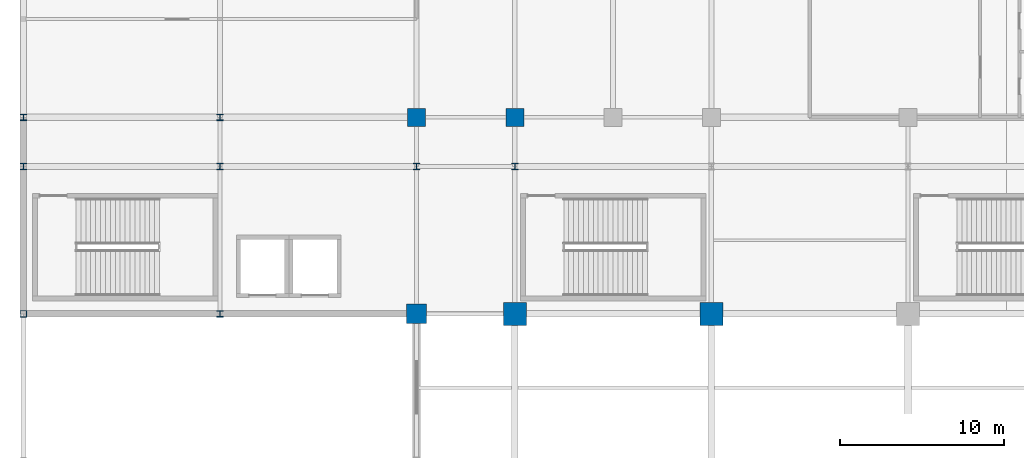
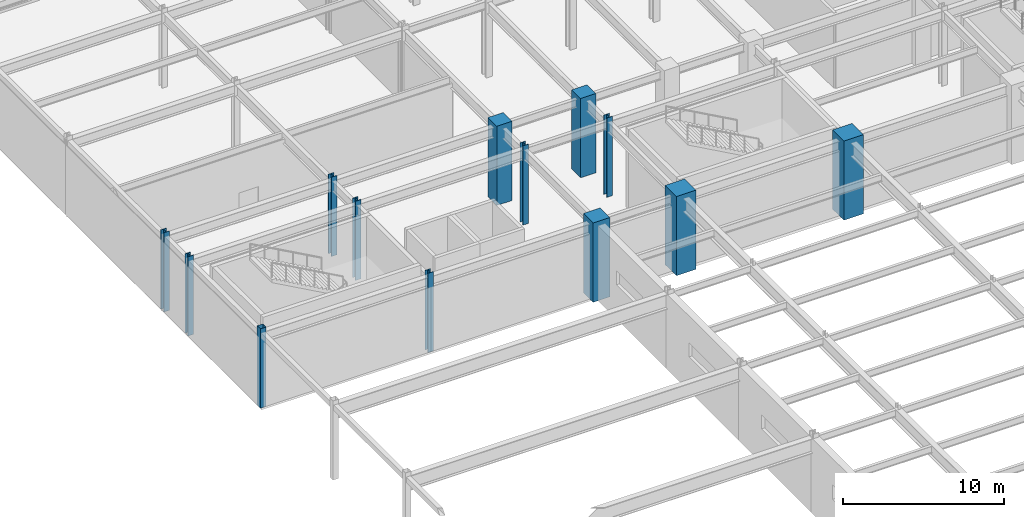
# One storey, part 6 of 105: 13 columns.
"""IFC4 building model written with IfcOpenShell, lengths in metres."""

from ifc_helpers import new_model, si_unit, direction, frame, origin, origin_2d, place, context, subcontext, project, spatial, rectangle, hollow_rectangle, i_section, extrude, material, material_profile, profile_set, type_object, element, save


model = new_model("IFC4")

# Units and contexts
model_context = context("Model", 3, precision=1e-05, world=origin(), true_north=direction((0.0, 1.0)))
body_context = subcontext(model_context, "Body", "Model", "MODEL_VIEW")
ifc_project = project(units=[si_unit("LENGTHUNIT", "METRE"), si_unit("AREAUNIT", "SQUARE_METRE"), si_unit("VOLUMEUNIT", "CUBIC_METRE"), si_unit("PLANEANGLEUNIT", "RADIAN"), si_unit("MASSUNIT", "GRAM", prefix="KILO")], contexts=[model_context])

# Site, building, storey
site_placement = place(None, origin())
site = spatial("IfcSite", under=ifc_project, at=site_placement, CompositionType="ELEMENT")
building_placement = place(site_placement, origin())
building = spatial("IfcBuilding", under=site, at=building_placement, Name="Kaldorvane Square Convention Centre", CompositionType="ELEMENT")
storey_placement = place(building_placement, frame((0.0, 0.0, 6.0)))
storey = spatial("IfcBuildingStorey", under=building, at=storey_placement, Name="L01", CompositionType="ELEMENT", Elevation=6.0)

# Columns
ifc_material_1 = material(Name="Steel ASTM A500 Gr. C", Category="steel")
ifc_material_profile_1 = material_profile(ifc_material_1, hollow_rectangle(XDim=0.406402587890625, YDim=0.406402587890625, WallThickness=0.014801025390625, at=origin_2d()), Name="HSS16X16X5/8")
ifc_profile_set_1 = profile_set([ifc_material_profile_1], Name="Steel ASTM A500 Gr. C")
column_type_1 = type_object("IfcColumnType", Name="COL-HSS-16", PredefinedType="COLUMN", material=ifc_profile_set_1)
column_1_placement = place(storey_placement, frame((0.0, 72.0, 0.0), z_axis=(0.0, 0.0, 1.0), x_axis=(1.0, 0.0, 0.0)))
element("IfcColumn", 1, at=column_1_placement, inside=storey, type_object=column_type_1, Name="Column SC-14 (L01)", PredefinedType="COLUMN", context=body_context, shape_type="SweptSolid", body=[
    extrude(hollow_rectangle(XDim=0.406402587890625, YDim=0.406402587890625, WallThickness=0.014801025390625, at=origin_2d()), origin(), (0.0, 0.0, 1.0), 6.0),
])
ifc_material_2 = material(Name="Concrete f'c = 55 MPa (Normalweight)", Category="concrete")
ifc_material_profile_2 = material_profile(ifc_material_2, rectangle(XDim=1.1999969482421875, YDim=1.1999969482421875, at=origin_2d()), Name="RC1200X1200")
ifc_profile_set_2 = profile_set([ifc_material_profile_2], Name="Concrete f'c = 55 MPa (Normalweight)")
column_type_2 = type_object("IfcColumnType", Name="COL-MEGA-1200", PredefinedType="COLUMN", material=ifc_profile_set_2)
column_2_placement = place(storey_placement, frame((24.0, 72.0, 0.0), z_axis=(0.0, 0.0, 1.0), x_axis=(1.0, 0.0, 0.0)))
element("IfcColumn", 2, at=column_2_placement, inside=storey, type_object=column_type_2, Name="Column MC-02 (L01)", PredefinedType="COLUMN", context=body_context, shape_type="SweptSolid", body=[
    extrude(rectangle(XDim=1.1999969482421875, YDim=1.1999969482421875, at=origin_2d()), origin(), (0.0, 0.0, 1.0), 6.0),
])
ifc_material_profile_3 = material_profile(ifc_material_2, rectangle(XDim=1.399993896484375, YDim=1.399993896484375, at=origin_2d()), Name="RC1400X1400")
ifc_profile_set_3 = profile_set([ifc_material_profile_3], Name="Concrete f'c = 55 MPa (Normalweight)")
column_type_3 = type_object("IfcColumnType", Name="COL-MEGA-1400", PredefinedType="COLUMN", material=ifc_profile_set_3)
for number, where, z_axis, x_axis, name in (
    (3, (30.0, 72.0, 0.0), (0.0, 0.0, 1.0), (1.0, 0.0, 0.0), "Column MC-01 (L01)"),
    (4, (42.0, 72.0, 0.0), (0.0, 0.0, 1.0), (1.0, 0.0, 0.0), "Column MC-01 (L01)"),
):
    element("IfcColumn", number, at=place(storey_placement, frame(where, z_axis=z_axis, x_axis=x_axis)), inside=storey, type_object=column_type_3, Name=name, PredefinedType="COLUMN", context=body_context, shape_type="SweptSolid", body=[
        extrude(rectangle(XDim=1.399993896484375, YDim=1.399993896484375, at=origin_2d()), origin(), (0.0, 0.0, 1.0), 6.0),
    ])
ifc_material_profile_4 = material_profile(ifc_material_2, rectangle(XDim=1.100006103515625, YDim=1.100006103515625, at=origin_2d()), Name="RC1100X1100")
ifc_profile_set_4 = profile_set([ifc_material_profile_4], Name="Concrete f'c = 55 MPa (Normalweight)")
column_type_4 = type_object("IfcColumnType", Name="COL-RC-1100", PredefinedType="COLUMN", material=ifc_profile_set_4)
for number, where, z_axis, x_axis, name in (
    (5, (24.0, 84.0, 0.0), (0.0, 0.0, 1.0), (1.0, 0.0, 0.0), "Column CC-01 (L01)"),
    (6, (30.0, 84.0, 0.0), (0.0, 0.0, 1.0), (1.0, 0.0, 0.0), "Column CC-01 (L01)"),
):
    element("IfcColumn", number, at=place(storey_placement, frame(where, z_axis=z_axis, x_axis=x_axis)), inside=storey, type_object=column_type_4, Name=name, PredefinedType="COLUMN", context=body_context, shape_type="SweptSolid", body=[
        extrude(rectangle(XDim=1.100006103515625, YDim=1.100006103515625, at=origin_2d()), origin(), (0.0, 0.0, 1.0), 6.0),
    ])
ifc_material_3 = material(Name="Steel ASTM A992 Gr. 50", Category="steel")
ifc_material_profile_5 = material_profile(ifc_material_3, i_section(OverallWidth=0.40130615234375, OverallDepth=0.3993072509765625, WebThickness=0.02490234375, FlangeThickness=0.0395965576171875, FilletRadius=0.0305023193359375, at=origin_2d()), Name="W14X211")
ifc_profile_set_5 = profile_set([ifc_material_profile_5], Name="Steel ASTM A992 Gr. 50")
column_type_5 = type_object("IfcColumnType", Name="COL-STL-211", PredefinedType="COLUMN", material=ifc_profile_set_5)
for number, where, z_axis, x_axis, name in (
    (7, (0.0, 81.0, 0.0), (0.0, 0.0, 1.0), (1.0, 0.0, 0.0), "Column SC-08 (L01)"),
    (8, (0.0, 84.0, 0.0), (0.0, 0.0, 1.0), (1.0, 0.0, 0.0), "Column SC-08 (L01)"),
    (9, (12.0, 72.0, 0.0), (0.0, 0.0, 1.0), (1.0, 0.0, 0.0), "Column SC-08 (L01)"),
    (10, (12.0, 81.0, 0.0), (0.0, 0.0, 1.0), (1.0, 0.0, 0.0), "Column SC-08 (L01)"),
    (11, (12.0, 84.0, 0.0), (0.0, 0.0, 1.0), (1.0, 0.0, 0.0), "Column SC-08 (L01)"),
    (12, (24.0, 81.0, 0.0), (0.0, 0.0, 1.0), (1.0, 0.0, 0.0), "Column SC-08 (L01)"),
    (13, (30.0, 81.0, 0.0), (0.0, 0.0, 1.0), (1.0, 0.0, 0.0), "Column SC-08 (L01)"),
):
    element("IfcColumn", number, at=place(storey_placement, frame(where, z_axis=z_axis, x_axis=x_axis)), inside=storey, type_object=column_type_5, Name=name, PredefinedType="COLUMN", context=body_context, shape_type="SweptSolid", body=[
        extrude(i_section(OverallWidth=0.40130615234375, OverallDepth=0.3993072509765625, WebThickness=0.02490234375, FlangeThickness=0.0395965576171875, FilletRadius=0.0305023193359375, at=origin_2d()), origin(), (0.0, 0.0, 1.0), 6.0),
    ])

save(model, "model.ifc")
